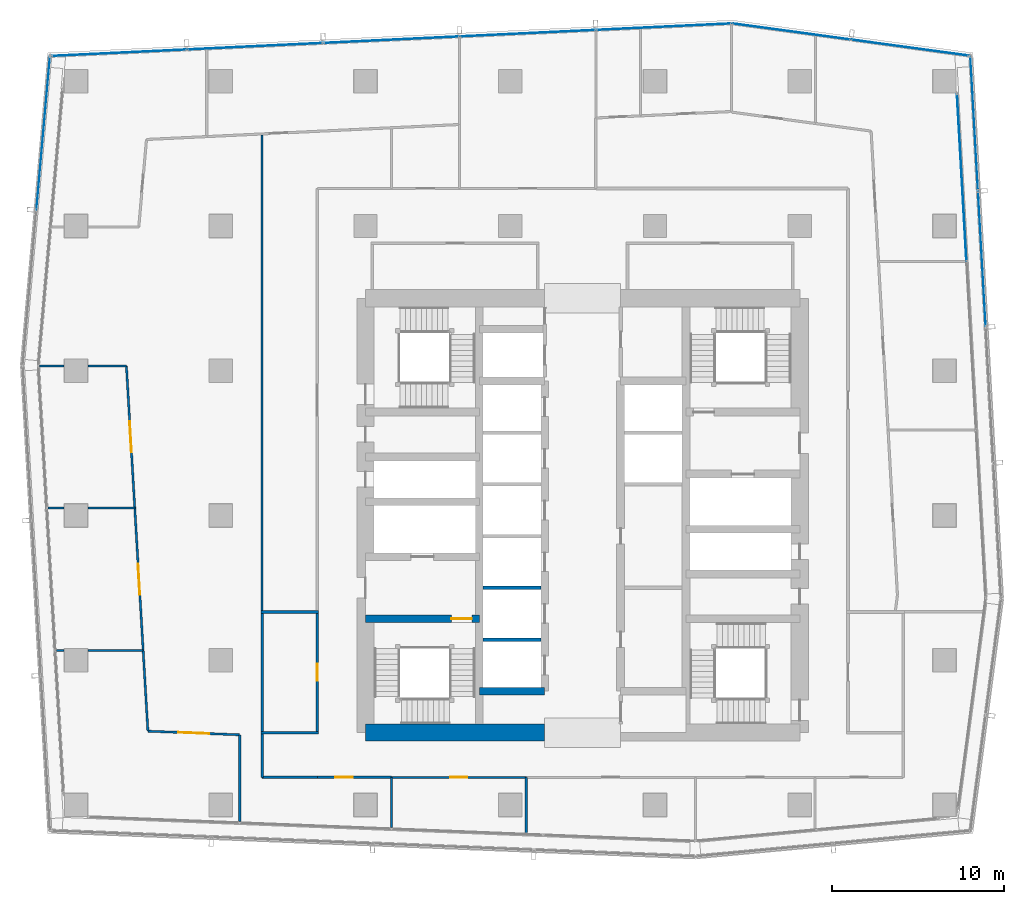
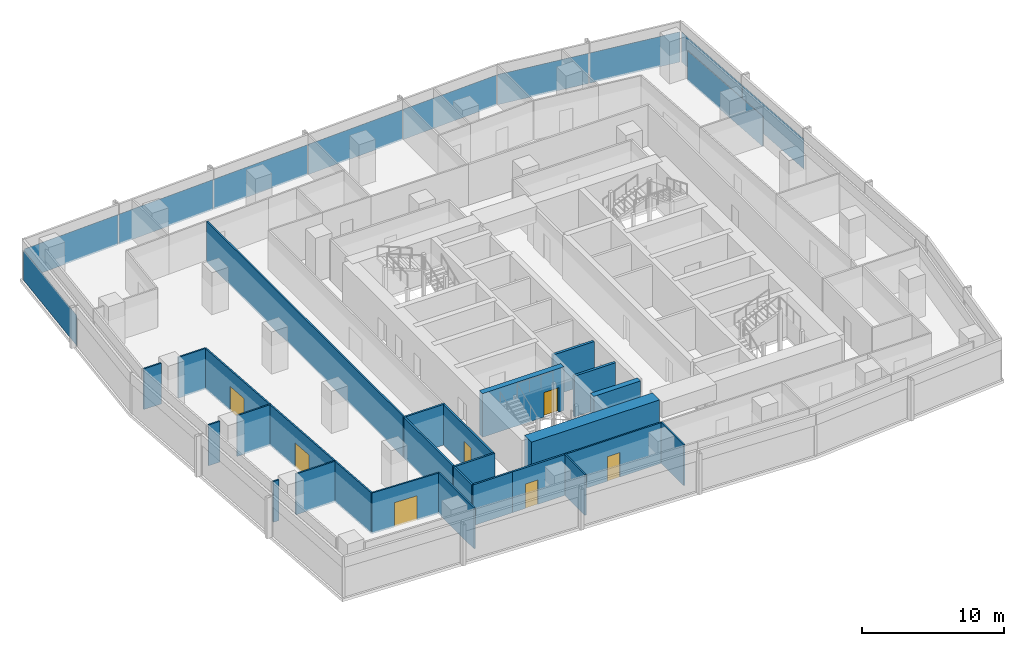
# One storey, part 27 of 38: 27 walls, 11 plates, 7 doors, 7 openings, 5 elements without a shape of their own.
"""IFC4 building model written with IfcOpenShell, lengths in metres."""

from ifc_helpers import new_model, si_unit, direction, frame, frame_2d, origin, origin_2d, place, context, subcontext, project, spatial, rectangle, extrude, material, layer, layer_set, type_object, element, fill, aggregate, save


model = new_model("IFC4")

# Units and contexts
model_context = context("Model", 3, precision=1e-05, world=origin(), true_north=direction((0.0, 1.0)))
body_context = subcontext(model_context, "Body", "Model", "MODEL_VIEW")
ifc_project = project(units=[si_unit("LENGTHUNIT", "METRE"), si_unit("AREAUNIT", "SQUARE_METRE"), si_unit("VOLUMEUNIT", "CUBIC_METRE"), si_unit("PLANEANGLEUNIT", "RADIAN"), si_unit("MASSUNIT", "GRAM", prefix="KILO")], contexts=[model_context])

# Site, building, storey
site_placement = place(None, origin())
site = spatial("IfcSite", under=ifc_project, at=site_placement, CompositionType="ELEMENT")
building_placement = place(site_placement, origin())
building = spatial("IfcBuilding", under=site, at=building_placement, Name="Rekha Terrace Tower", CompositionType="ELEMENT")
storey_placement = place(building_placement, frame((0.0, 0.0, 195.199951171875)))
storey = spatial("IfcBuildingStorey", under=building, at=storey_placement, Name="L49", CompositionType="ELEMENT", Elevation=195.199951171875)

# Curtain wall, plate
ifc_material_1 = material(Name="Aluminium framing", Category="aluminium")
curtain_wall_type_1 = type_object("IfcCurtainWallType", Name="CW1 double skin inner glazing", PredefinedType="USERDEFINED", material=ifc_material_1)
curtain_wall_1_placement = place(storey_placement, origin())
curtain_wall_1 = element("IfcCurtainWall", 1, at=curtain_wall_1_placement, inside=storey, type_object=curtain_wall_type_1, Name="CW1 double skin inner glazing", ObjectType="DOUBLE SKIN INNER GLAZING", PredefinedType="USERDEFINED")
ifc_material_2 = material(Name="Double-glazed low-e unit 32", Category="glass")
ifc_layer_1 = layer(ifc_material_2, 0.031982421875)
ifc_layer_set_1 = layer_set([ifc_layer_1], Name="Double-glazed low-e unit 32")
plate_type_1 = type_object("IfcPlateType", Name="CW1 jumbo vision panel, double-glazed low-e unit 32", PredefinedType="CURTAIN_PANEL", material=ifc_layer_set_1)
plate_1_placement = place(storey_placement, frame((59.799560546875, 53.203369140625, 0.0), z_axis=(0.0, 0.0, 1.0), x_axis=(-0.05667319486, 0.998392782919, 0.0)))
plate_1 = element("IfcPlate", 2, at=plate_1_placement, type_object=plate_type_1, Name="CW1 panel 3.1", PredefinedType="CURTAIN_PANEL", context=body_context, shape_type="SweptSolid", body=[
    extrude(rectangle(XDim=9.694091796875, YDim=0.031982421875, at=origin_2d()), origin(), (0.0, 0.0, 1.0), 2.60009765625),
])
aggregate(curtain_wall_1, [plate_1])

# Curtain wall, plates
curtain_wall_type_2 = type_object("IfcCurtainWallType", Name="CW2 double skin outer glazing", PredefinedType="USERDEFINED", material=ifc_material_1)
curtain_wall_2_placement = place(storey_placement, origin())
curtain_wall_2 = element("IfcCurtainWall", 3, at=curtain_wall_2_placement, inside=storey, type_object=curtain_wall_type_2, Name="CW2 double skin outer glazing", ObjectType="DOUBLE SKIN OUTER GLAZING", PredefinedType="USERDEFINED")
ifc_material_3 = material(Name="Toughened single glazing 12", Category="glass")
ifc_layer_2 = layer(ifc_material_3, 0.011962890625)
ifc_layer_set_2 = layer_set([ifc_layer_2], Name="Toughened single glazing 12")
plate_type_2 = type_object("IfcPlateType", Name="CW2 jumbo vision panel, toughened single glazing 12", PredefinedType="CURTAIN_PANEL", material=ifc_layer_set_2)
plate_2_placement = place(storey_placement, frame((60.9697265625, 48.47314453125, 0.0), z_axis=(0.0, 0.0, 1.0), x_axis=(-0.05667319486, 0.998392782919, 0.0)))
plate_2 = element("IfcPlate", 4, at=plate_2_placement, type_object=plate_type_2, Name="CW2 panel 3.1", PredefinedType="CURTAIN_PANEL", context=body_context, shape_type="SweptSolid", body=[
    extrude(rectangle(XDim=7.823486328125, YDim=0.011962890625, at=origin_2d()), origin(), (0.0, 0.0, 1.0), 2.60009765625),
])
plate_3_placement = place(storey_placement, frame((60.522705078125, 56.343994140625, 0.0), z_axis=(0.0, 0.0, 1.0), x_axis=(-0.05667319486, 0.998392782919, 0.0)))
plate_3 = element("IfcPlate", 5, at=plate_3_placement, type_object=plate_type_2, Name="CW2 panel 4.1", PredefinedType="CURTAIN_PANEL", context=body_context, shape_type="SweptSolid", body=[
    extrude(rectangle(XDim=7.783447265625, YDim=0.011962890625, at=origin_2d()), origin(), (0.0, 0.0, 1.0), 2.60009765625),
])
aggregate(curtain_wall_2, [plate_2, plate_3])

# Curtain wall, plate
curtain_wall_3_placement = place(storey_placement, origin())
curtain_wall_3 = element("IfcCurtainWall", 6, at=curtain_wall_3_placement, inside=storey, type_object=curtain_wall_type_2, Name="CW2 double skin outer glazing", ObjectType="DOUBLE SKIN OUTER GLAZING", PredefinedType="USERDEFINED")
plate_4_placement = place(storey_placement, frame((6.498779296875, 55.78466796875, 0.0), z_axis=(0.0, 0.0, 1.0), x_axis=(-0.087957985453, -0.996124185428, 0.0)))
plate_4 = element("IfcPlate", 7, at=plate_4_placement, type_object=plate_type_2, Name="CW2 panel 1.1", PredefinedType="CURTAIN_PANEL", context=body_context, shape_type="SweptSolid", body=[
    extrude(rectangle(XDim=8.899658203125, YDim=0.011962890625, at=origin_2d()), origin(), (0.0, 0.0, 1.0), 2.60009765625),
])
aggregate(curtain_wall_3, [plate_4])

# Curtain wall, plates
curtain_wall_type_3 = type_object("IfcCurtainWallType", Name="CW3 north unitised glazing", PredefinedType="USERDEFINED", material=ifc_material_1)
curtain_wall_4_placement = place(storey_placement, origin())
curtain_wall_4 = element("IfcCurtainWall", 8, at=curtain_wall_4_placement, inside=storey, type_object=curtain_wall_type_3, Name="CW3 unitised curtain wall", ObjectType="UNITISED CURTAIN WALL", PredefinedType="USERDEFINED")
ifc_material_4 = material(Name="Double-glazed unit 28", Category="glass")
ifc_layer_3 = layer(ifc_material_4, 0.028076171875)
ifc_layer_set_3 = layer_set([ifc_layer_3], Name="Double-glazed unit 28")
plate_type_3 = type_object("IfcPlateType", Name="CW3 jumbo vision panel, double-glazed unit 28", PredefinedType="CURTAIN_PANEL", material=ifc_layer_set_3)
plate_5_placement = place(storey_placement, frame((56.797119140625, 60.745361328125, 0.0), z_axis=(0.0, 0.0, 1.0), x_axis=(-0.990867270504, 0.134840840416, 0.0)))
plate_5 = element("IfcPlate", 9, at=plate_5_placement, type_object=plate_type_3, Name="CW3 panel 1.1", PredefinedType="CURTAIN_PANEL", context=body_context, shape_type="SweptSolid", body=[
    extrude(rectangle(XDim=6.8486328125, YDim=0.028076171875, at=origin_2d()), origin(), (0.0, 0.0, 1.0), 2.60009765625),
])
plate_6_placement = place(storey_placement, frame((49.906982421875, 61.682861328125, 0.0), z_axis=(0.0, 0.0, 1.0), x_axis=(-0.990867270504, 0.134840840416, 0.0)))
plate_6 = element("IfcPlate", 10, at=plate_6_placement, type_object=plate_type_3, Name="CW3 panel 2.1", PredefinedType="CURTAIN_PANEL", context=body_context, shape_type="SweptSolid", body=[
    extrude(rectangle(XDim=6.918701171875, YDim=0.028076171875, at=origin_2d()), origin(), (0.0, 0.0, 1.0), 2.60009765625),
])
aggregate(curtain_wall_4, [plate_5, plate_6])

curtain_wall_5_placement = place(storey_placement, origin())
curtain_wall_5 = element("IfcCurtainWall", 11, at=curtain_wall_5_placement, inside=storey, type_object=curtain_wall_type_3, Name="CW3 unitised curtain wall", ObjectType="UNITISED CURTAIN WALL", PredefinedType="USERDEFINED")
plate_7_placement = place(storey_placement, frame((42.50732421875, 61.95947265625, 0.0), z_axis=(0.0, 0.0, 1.0), x_axis=(-0.998858906204, -0.047758616983, 0.0)))
plate_7 = element("IfcPlate", 12, at=plate_7_placement, type_object=plate_type_3, Name="CW3 panel 1.1", PredefinedType="CURTAIN_PANEL", context=body_context, shape_type="SweptSolid", body=[
    extrude(rectangle(XDim=7.81298828125, YDim=0.028076171875, at=origin_2d()), origin(), (0.0, 0.0, 1.0), 2.60009765625),
])
plate_8_placement = place(storey_placement, frame((34.61572265625, 61.58203125, 0.0), z_axis=(0.0, 0.0, 1.0), x_axis=(-0.998858906204, -0.047758616983, 0.0)))
plate_8 = element("IfcPlate", 13, at=plate_8_placement, type_object=plate_type_3, Name="CW3 panel 2.1", PredefinedType="CURTAIN_PANEL", context=body_context, shape_type="SweptSolid", body=[
    extrude(rectangle(XDim=7.84814453125, YDim=0.028076171875, at=origin_2d()), origin(), (0.0, 0.0, 1.0), 2.60009765625),
])
plate_9_placement = place(storey_placement, frame((26.70654296875, 61.203857421875, 0.0), z_axis=(0.0, 0.0, 1.0), x_axis=(-0.998858906204, -0.047758616983, 0.0)))
plate_9 = element("IfcPlate", 14, at=plate_9_placement, type_object=plate_type_3, Name="CW3 panel 3.1", PredefinedType="CURTAIN_PANEL", context=body_context, shape_type="SweptSolid", body=[
    extrude(rectangle(XDim=7.84814453125, YDim=0.028076171875, at=origin_2d()), origin(), (0.0, 0.0, 1.0), 2.60009765625),
])
plate_10_placement = place(storey_placement, frame((18.79736328125, 60.82568359375, 0.0), z_axis=(0.0, 0.0, 1.0), x_axis=(-0.998858906204, -0.047758616983, 0.0)))
plate_10 = element("IfcPlate", 15, at=plate_10_placement, type_object=plate_type_3, Name="CW3 panel 4.1", PredefinedType="CURTAIN_PANEL", context=body_context, shape_type="SweptSolid", body=[
    extrude(rectangle(XDim=7.84814453125, YDim=0.028076171875, at=origin_2d()), origin(), (0.0, 0.0, 1.0), 2.60009765625),
])
plate_11_placement = place(storey_placement, frame((10.906005859375, 60.448486328125, 0.0), z_axis=(0.0, 0.0, 1.0), x_axis=(-0.998858906204, -0.047758616983, 0.0)))
plate_11 = element("IfcPlate", 16, at=plate_11_placement, type_object=plate_type_3, Name="CW3 panel 5.1", PredefinedType="CURTAIN_PANEL", context=body_context, shape_type="SweptSolid", body=[
    extrude(rectangle(XDim=7.81298828125, YDim=0.028076171875, at=origin_2d()), origin(), (0.0, 0.0, 1.0), 2.60009765625),
])
aggregate(curtain_wall_5, [plate_7, plate_8, plate_9, plate_10, plate_11])

# Wall
ifc_material_5 = material(Name="Concrete M60", Category="concrete")
ifc_layer_4 = layer(ifc_material_5, 0.449951171875)
ifc_layer_set_4 = layer_set([ifc_layer_4], Name="Concrete M60")
wall_type_1 = type_object("IfcWallType", Name="CI3 450 core internal shear wall", PredefinedType="SHEAR", material=ifc_layer_set_4)
wall_1_placement = place(storey_placement, frame((31.800048828125, 23.39990234375, 0.0), z_axis=(0.0, 0.0, 1.0), x_axis=(1.0, 0.0, 0.0)))
element("IfcWall", 17, at=wall_1_placement, inside=storey, type_object=wall_type_1, Name="Core wall Y234W L49", PredefinedType="SHEAR", context=body_context, shape_type="SweptSolid", body=[
    extrude(rectangle(XDim=3.800048828125, YDim=0.449951171875, at=frame_2d((1.89990234375, 0.0))), origin(), (0.0, 0.0, 1.0), 3.75),
])

# Wall, opening, door
wall_2_placement = place(storey_placement, frame((25.199951171875, 27.60009765625, 0.0), z_axis=(0.0, 0.0, 1.0), x_axis=(1.0, 0.0, 0.0)))
wall_2 = element("IfcWall", 18, at=wall_2_placement, inside=storey, type_object=wall_type_1, Name="Core wall Y276W L49", PredefinedType="SHEAR", context=body_context, shape_type="SweptSolid", body=[
    extrude(rectangle(XDim=6.60009765625, YDim=0.449951171875, at=frame_2d((3.300048828125, 0.0))), origin(), (0.0, 0.0, 1.0), 3.75),
])
opening_1_placement = place(wall_2_placement, frame((4.97509765625, 0.0, 0.0)))
opening_1 = element("IfcOpeningElement", 19, at=opening_1_placement, cuts=wall_2, Name="Opening D1", PredefinedType="OPENING", context=body_context, shape_type="SweptSolid", body=[
    extrude(rectangle(XDim=1.199951171875, YDim=2.10009765625, at=frame_2d((0.60009765625, 1.050048828125))), frame((0.0, 0.23486328125, 0.0), z_axis=(0.0, -1.0, 0.0), x_axis=(1.0, 0.0, 0.0)), (0.0, 0.0, 1.0), 0.469970703125),
])
ifc_material_6 = material(Name="Steel fire door", Category="steel")
door_type_1 = type_object("IfcDoorType", Name="D1 1200x2100 stair fire door", OperationType="SINGLE_SWING_RIGHT", PredefinedType="DOOR", material=ifc_material_6)
door_1_placement = place(opening_1_placement, origin())
door_1 = element("IfcDoor", 20, at=door_1_placement, inside=storey, type_object=door_type_1, Name="Stair ST1 door L49", OperationType="SINGLE_SWING_RIGHT", OverallHeight=2.10009765625, OverallWidth=1.199951171875, PredefinedType="DOOR", context=body_context, shape_type="SweptSolid", body=[
    extrude(rectangle(XDim=1.199951171875, YDim=2.10009765625, at=frame_2d((0.60009765625, 1.050048828125))), frame((0.0, 0.02490234375, 0.0), z_axis=(0.0, -1.0, 0.0), x_axis=(1.0, 0.0, 0.0)), (0.0, 0.0, 1.0), 0.050048828125),
])
fill(opening_1, door_1)

# Walls
ifc_layer_5 = layer(ifc_material_5, 1.0)
ifc_layer_set_5 = layer_set([ifc_layer_5], Name="Concrete M60")
wall_type_2 = type_object("IfcWallType", Name="SW3 1000 core outer shear wall", PredefinedType="SHEAR", material=ifc_layer_set_5)
wall_3_placement = place(storey_placement, frame((25.199951171875, 21.0, 0.0), z_axis=(0.0, 0.0, 1.0), x_axis=(1.0, 0.0, 0.0)))
element("IfcWall", 21, at=wall_3_placement, inside=storey, type_object=wall_type_2, Name="Core wall S1 L49", PredefinedType="SHEAR", context=body_context, shape_type="SweptSolid", body=[
    extrude(rectangle(XDim=10.400146484375, YDim=1.0, at=frame_2d((5.2001953125, 0.0))), origin(), (0.0, 0.0, 1.0), 3.75),
])
ifc_material_7 = material(Name="Concrete block masonry, 1 hour", Category="masonry")
ifc_layer_6 = layer(ifc_material_7, 0.14990234375)
ifc_layer_set_6 = layer_set([ifc_layer_6], Name="Concrete block masonry, 1 hour")
wall_type_3 = type_object("IfcWallType", Name="WP2 150 tenancy partition", PredefinedType="PARTITIONING", material=ifc_layer_set_6)
for number, where, z_axis, x_axis, name in (
    (22, (19.125, 21.0, 0.0), (0.0, 0.0, 1.0), (1.0, 0.0, 0.0), "Men's WC wall L49"),
    (23, (19.125, 28.0, 0.0), (0.0, 0.0, 1.0), (1.0, 0.0, 0.0), "Men's WC wall L49"),
):
    element("IfcWall", number, at=place(storey_placement, frame(where, z_axis=z_axis, x_axis=x_axis)), inside=storey, type_object=wall_type_3, Name=name, PredefinedType="PARTITIONING", context=body_context, shape_type="SweptSolid", body=[
        extrude(rectangle(XDim=3.35009765625, YDim=0.14990234375, at=frame_2d((1.675048828125, 0.0))), origin(), (0.0, 0.0, 1.0), 3.5),
    ])
wall_4_placement = place(storey_placement, frame((19.199951171875, 21.074951171875, 0.0), z_axis=(0.0, 0.0, 1.0), x_axis=(0.0, 1.0, 0.0)))
element("IfcWall", 24, at=wall_4_placement, inside=storey, type_object=wall_type_3, Name="Men's WC wall L49", PredefinedType="PARTITIONING", context=body_context, shape_type="SweptSolid", body=[
    extrude(rectangle(XDim=6.85009765625, YDim=0.14990234375, at=frame_2d((3.425048828125, 0.0))), origin(), (0.0, 0.0, 1.0), 3.5),
])

# Wall, opening, door
wall_5_placement = place(storey_placement, frame((22.39990234375, 21.074951171875, 0.0), z_axis=(0.0, 0.0, 1.0), x_axis=(0.0, 1.0, 0.0)))
wall_5 = element("IfcWall", 25, at=wall_5_placement, inside=storey, type_object=wall_type_3, Name="Men's WC wall L49", PredefinedType="PARTITIONING", context=body_context, shape_type="SweptSolid", body=[
    extrude(rectangle(XDim=6.85009765625, YDim=0.14990234375, at=frame_2d((3.425048828125, 0.0))), origin(), (0.0, 0.0, 1.0), 3.5),
])
opening_2_placement = place(wall_5_placement, frame((2.925048828125, 0.0, 0.0)))
opening_2 = element("IfcOpeningElement", 26, at=opening_2_placement, cuts=wall_5, Name="Opening D3", PredefinedType="OPENING", context=body_context, shape_type="SweptSolid", body=[
    extrude(rectangle(XDim=1.0, YDim=2.10009765625, at=frame_2d((0.5, 1.050048828125))), frame((0.0, 0.0849609375, 0.0), z_axis=(0.0, -1.0, 0.0), x_axis=(1.0, 0.0, 0.0)), (0.0, 0.0, 1.0), 0.169921875),
])
ifc_material_8 = material(Name="Laminated timber fire door", Category="wood")
door_type_2 = type_object("IfcDoorType", Name="D3 1000x2100 WC door", OperationType="SINGLE_SWING_LEFT", PredefinedType="DOOR", material=ifc_material_8)
door_2_placement = place(opening_2_placement, origin())
door_2 = element("IfcDoor", 27, at=door_2_placement, inside=storey, type_object=door_type_2, Name="Door men's wc L49", OperationType="SINGLE_SWING_LEFT", OverallHeight=2.10009765625, OverallWidth=1.0, PredefinedType="DOOR", context=body_context, shape_type="SweptSolid", body=[
    extrude(rectangle(XDim=1.0, YDim=2.10009765625, at=frame_2d((0.5, 1.050048828125))), frame((0.0, 0.02490234375, 0.0), z_axis=(0.0, -1.0, 0.0), x_axis=(1.0, 0.0, 0.0)), (0.0, 0.0, 1.0), 0.050048828125),
])
fill(opening_2, door_2)

# Walls
wall_6_placement = place(storey_placement, frame((19.199951171875, 20.925048828125, 0.0), z_axis=(0.0, 0.0, 1.0), x_axis=(0.0, -1.0, 0.0)))
element("IfcWall", 28, at=wall_6_placement, inside=storey, type_object=wall_type_3, Name="Partition L49-O1b", PredefinedType="PARTITIONING", context=body_context, shape_type="SweptSolid", body=[
    extrude(rectangle(XDim=2.525146484375, YDim=0.14990234375, at=frame_2d((1.2626953125, 0.0))), origin(), (0.0, 0.0, 1.0), 3.5),
])
wall_7_placement = place(storey_placement, frame((19.199951171875, 18.39990234375, 0.0), z_axis=(0.0, 0.0, 1.0), x_axis=(1.0, 0.0, 0.0)))
element("IfcWall", 29, at=wall_7_placement, inside=storey, type_object=wall_type_3, Name="Partition L49-O1b", PredefinedType="PARTITIONING", context=body_context, shape_type="SweptSolid", body=[
    extrude(rectangle(XDim=3.199951171875, YDim=0.14990234375, at=frame_2d((1.60009765625, 0.0))), origin(), (0.0, 0.0, 1.0), 3.5),
])

# Wall, opening, door
wall_8_placement = place(storey_placement, frame((22.39990234375, 18.39990234375, 0.0), z_axis=(0.0, 0.0, 1.0), x_axis=(1.0, 0.0, 0.0)))
wall_8 = element("IfcWall", 30, at=wall_8_placement, inside=storey, type_object=wall_type_3, Name="Partition L49-O1b", PredefinedType="PARTITIONING", context=body_context, shape_type="SweptSolid", body=[
    extrude(rectangle(XDim=4.302978515625, YDim=0.14990234375, at=frame_2d((2.1513671875, 0.0))), origin(), (0.0, 0.0, 1.0), 3.5),
])
opening_3_placement = place(wall_8_placement, frame((1.052001953125, 0.0, 0.0)))
opening_3 = element("IfcOpeningElement", 31, at=opening_3_placement, cuts=wall_8, Name="Opening D9", PredefinedType="OPENING", context=body_context, shape_type="SweptSolid", body=[
    extrude(rectangle(XDim=1.0, YDim=2.10009765625, at=frame_2d((0.5, 1.050048828125))), frame((0.0, 0.0849609375, 0.0), z_axis=(0.0, -1.0, 0.0), x_axis=(1.0, 0.0, 0.0)), (0.0, 0.0, 1.0), 0.169921875),
])
ifc_material_9 = material(Name="Timber fire door", Category="wood")
door_type_3 = type_object("IfcDoorType", Name="D9 1000x2100 office door", OperationType="SINGLE_SWING_LEFT", PredefinedType="DOOR", material=ifc_material_9)
door_3_placement = place(opening_3_placement, origin())
door_3 = element("IfcDoor", 32, at=door_3_placement, inside=storey, type_object=door_type_3, Name="Door open-plan office L49", OperationType="SINGLE_SWING_LEFT", OverallHeight=2.10009765625, OverallWidth=1.0, PredefinedType="DOOR", context=body_context, shape_type="SweptSolid", body=[
    extrude(rectangle(XDim=1.0, YDim=2.10009765625, at=frame_2d((0.5, 1.050048828125))), frame((0.0, 0.02490234375, 0.0), z_axis=(0.0, -1.0, 0.0), x_axis=(1.0, 0.0, 0.0)), (0.0, 0.0, 1.0), 0.050048828125),
])
fill(opening_3, door_3)

# Walls
ifc_material_10 = material(Name="Two layers of fire-rated gypsum board each side on steel studs, acoustic quilt, 1 hour", Category="steel")
ifc_layer_7 = layer(ifc_material_10, 0.125)
ifc_layer_set_7 = layer_set([ifc_layer_7], Name="Two layers of fire-rated gypsum board each side on steel studs, acoustic quilt, 1 hour")
wall_type_4 = type_object("IfcWallType", Name="WP3 125 office partition", PredefinedType="PARTITIONING", material=ifc_layer_set_7)
wall_9_placement = place(storey_placement, frame((34.531005859375, 15.181884765625, 0.0), z_axis=(0.0, 0.0, 1.0), x_axis=(0.0, 1.0, 0.0)))
element("IfcWall", 33, at=wall_9_placement, inside=storey, type_object=wall_type_4, Name="Partition L49-02", PredefinedType="PARTITIONING", context=body_context, shape_type="SweptSolid", body=[
    extrude(rectangle(XDim=3.218017578125, YDim=0.125, at=frame_2d((1.60888671875, 0.0))), origin(), (0.0, 0.0, 1.0), 3.5),
])
wall_10_placement = place(storey_placement, frame((11.80908203125, 34.041015625, 0.0), z_axis=(0.0, 0.0, 1.0), x_axis=(-1.0, 0.0, 0.0)))
element("IfcWall", 34, at=wall_10_placement, inside=storey, type_object=wall_type_4, Name="Partition L49-14", PredefinedType="PARTITIONING", context=body_context, shape_type="SweptSolid", body=[
    extrude(rectangle(XDim=2.714111328125, YDim=0.125, at=frame_2d((1.35693359375, 0.0))), origin(), (0.0, 0.0, 1.0), 3.5),
])
wall_11_placement = place(storey_placement, frame((7.705078125, 34.041015625, 0.0), z_axis=(0.0, 0.0, 1.0), x_axis=(-1.0, 0.0, 0.0)))
element("IfcWall", 35, at=wall_11_placement, inside=storey, type_object=wall_type_4, Name="Partition L49-14", PredefinedType="PARTITIONING", context=body_context, shape_type="SweptSolid", body=[
    extrude(rectangle(XDim=0.925048828125, YDim=0.125, at=frame_2d((0.46240234375, 0.0))), origin(), (0.0, 0.0, 1.0), 3.5),
])
wall_12_placement = place(storey_placement, frame((6.294921875, 42.281005859375, 0.0), z_axis=(0.0, 0.0, 1.0), x_axis=(1.0, 0.0, 0.0)))
element("IfcWall", 36, at=wall_12_placement, inside=storey, type_object=wall_type_4, Name="Partition L49-14", PredefinedType="PARTITIONING", context=body_context, shape_type="SweptSolid", body=[
    extrude(rectangle(XDim=1.41015625, YDim=0.125, at=frame_2d((0.705078125, 0.0))), origin(), (0.0, 0.0, 1.0), 3.5),
])
wall_13_placement = place(storey_placement, frame((9.094970703125, 42.281005859375, 0.0), z_axis=(0.0, 0.0, 1.0), x_axis=(1.0, 0.0, 0.0)))
element("IfcWall", 37, at=wall_13_placement, inside=storey, type_object=wall_type_4, Name="Partition L49-14", PredefinedType="PARTITIONING", context=body_context, shape_type="SweptSolid", body=[
    extrude(rectangle(XDim=2.22900390625, YDim=0.125, at=frame_2d((1.114501953125, 0.0))), origin(), (0.0, 0.0, 1.0), 3.5),
])

# Wall, opening, door
wall_14_placement = place(storey_placement, frame((11.323974609375, 42.281005859375, 0.0), z_axis=(0.0, 0.0, 1.0), x_axis=(0.058770569842, -0.998271516232, 0.0)))
wall_14 = element("IfcWall", 38, at=wall_14_placement, inside=storey, type_object=wall_type_4, Name="Partition L49-14", PredefinedType="PARTITIONING", context=body_context, shape_type="SweptSolid", body=[
    extrude(rectangle(XDim=8.254150390625, YDim=0.125, at=frame_2d((4.126953125, 0.0))), origin(), (0.0, 0.0, 1.0), 3.5),
])
opening_4_placement = place(wall_14_placement, frame((3.22705078125, 0.0, 0.0)))
opening_4 = element("IfcOpeningElement", 39, at=opening_4_placement, cuts=wall_14, Name="Opening D8", PredefinedType="OPENING", context=body_context, shape_type="SweptSolid", body=[
    extrude(rectangle(XDim=1.800048828125, YDim=2.10009765625, at=frame_2d((0.89990234375, 1.050048828125))), frame((0.0, 0.072509765625, 0.0), z_axis=(0.0, -1.0, 0.0), x_axis=(1.0, 0.0, 0.0)), (0.0, 0.0, 1.0), 0.14501953125),
])
door_type_4 = type_object("IfcDoorType", Name="D8 1800x2100 double leaf door", OperationType="DOUBLE_DOOR_SINGLE_SWING", PredefinedType="DOOR", material=ifc_material_9)
door_4_placement = place(opening_4_placement, origin())
door_4 = element("IfcDoor", 40, at=door_4_placement, inside=storey, type_object=door_type_4, Name="Door breakout lounge L49", OperationType="DOUBLE_DOOR_SINGLE_SWING", OverallHeight=2.10009765625, OverallWidth=1.800048828125, PredefinedType="DOOR", context=body_context, shape_type="SweptSolid", body=[
    extrude(rectangle(XDim=1.800048828125, YDim=2.10009765625, at=frame_2d((0.89990234375, 1.050048828125))), frame((0.0, 0.02490234375, 0.0), z_axis=(0.0, -1.0, 0.0), x_axis=(1.0, 0.0, 0.0)), (0.0, 0.0, 1.0), 0.050048828125),
])
fill(opening_4, door_4)

wall_15_placement = place(storey_placement, frame((11.80908203125, 34.0400390625, 0.0), z_axis=(0.0, 0.0, 1.0), x_axis=(0.058742745351, -0.998273153936, 0.0)))
wall_15 = element("IfcWall", 41, at=wall_15_placement, inside=storey, type_object=wall_type_4, Name="Partition L49-15", PredefinedType="PARTITIONING", context=body_context, shape_type="SweptSolid", body=[
    extrude(rectangle(XDim=8.287353515625, YDim=0.125, at=frame_2d((4.1435546875, 0.0))), origin(), (0.0, 0.0, 1.0), 3.5),
])
opening_5_placement = place(wall_15_placement, frame((3.243896484375, 0.0, 0.0)))
opening_5 = element("IfcOpeningElement", 42, at=opening_5_placement, cuts=wall_15, Name="Opening D8", PredefinedType="OPENING", context=body_context, shape_type="SweptSolid", body=[
    extrude(rectangle(XDim=1.800048828125, YDim=2.10009765625, at=frame_2d((0.89990234375, 1.050048828125))), frame((0.0, 0.072509765625, 0.0), z_axis=(0.0, -1.0, 0.0), x_axis=(1.0, 0.0, 0.0)), (0.0, 0.0, 1.0), 0.14501953125),
])
door_5_placement = place(opening_5_placement, origin())
door_5 = element("IfcDoor", 43, at=door_5_placement, inside=storey, type_object=door_type_4, Name="Door meeting room L49", OperationType="DOUBLE_DOOR_SINGLE_SWING", OverallHeight=2.10009765625, OverallWidth=1.800048828125, PredefinedType="DOOR", context=body_context, shape_type="SweptSolid", body=[
    extrude(rectangle(XDim=1.800048828125, YDim=2.10009765625, at=frame_2d((0.89990234375, 1.050048828125))), frame((0.0, 0.02490234375, 0.0), z_axis=(0.0, -1.0, 0.0), x_axis=(1.0, 0.0, 0.0)), (0.0, 0.0, 1.0), 0.050048828125),
])
fill(opening_5, door_5)

# Walls
wall_16_placement = place(storey_placement, frame((12.2958984375, 25.76708984375, 0.0), z_axis=(0.0, 0.0, 1.0), x_axis=(-1.0, 0.0, 0.0)))
element("IfcWall", 44, at=wall_16_placement, inside=storey, type_object=wall_type_4, Name="Partition L49-15", PredefinedType="PARTITIONING", context=body_context, shape_type="SweptSolid", body=[
    extrude(rectangle(XDim=3.200927734375, YDim=0.125, at=frame_2d((1.6005859375, 0.0))), origin(), (0.0, 0.0, 1.0), 3.5),
])
wall_17_placement = place(storey_placement, frame((7.705078125, 25.76708984375, 0.0), z_axis=(0.0, 0.0, 1.0), x_axis=(-1.0, 0.0, 0.0)))
element("IfcWall", 45, at=wall_17_placement, inside=storey, type_object=wall_type_4, Name="Partition L49-15", PredefinedType="PARTITIONING", context=body_context, shape_type="SweptSolid", body=[
    extrude(rectangle(XDim=0.43798828125, YDim=0.125, at=frame_2d((0.218994140625, 0.0))), origin(), (0.0, 0.0, 1.0), 3.5),
])
wall_18_placement = place(storey_placement, frame((17.89892578125, 20.8701171875, 0.0), z_axis=(0.0, 0.0, 1.0), x_axis=(0.0, -1.0, 0.0)))
element("IfcWall", 46, at=wall_18_placement, inside=storey, type_object=wall_type_4, Name="Partition L49-16", PredefinedType="PARTITIONING", context=body_context, shape_type="SweptSolid", body=[
    extrude(rectangle(XDim=5.024169921875, YDim=0.125, at=frame_2d((2.51220703125, 0.0))), origin(), (0.0, 0.0, 1.0), 3.5),
])
wall_19_placement = place(storey_placement, frame((12.2958984375, 25.76611328125, 0.0), z_axis=(0.0, 0.0, 1.0), x_axis=(0.058859304142, -0.99826628828, 0.0)))
element("IfcWall", 47, at=wall_19_placement, inside=storey, type_object=wall_type_4, Name="Partition L49-16", PredefinedType="PARTITIONING", context=body_context, shape_type="SweptSolid", body=[
    extrude(rectangle(XDim=4.691162109375, YDim=0.125, at=frame_2d((2.345703125, 0.0))), origin(), (0.0, 0.0, 1.0), 3.5),
])

# Wall, opening, door
wall_20_placement = place(storey_placement, frame((12.572021484375, 21.0830078125, 0.0), z_axis=(0.0, 0.0, 1.0), x_axis=(0.999202348063, -0.039933289679, 0.0)))
wall_20 = element("IfcWall", 48, at=wall_20_placement, inside=storey, type_object=wall_type_4, Name="Partition L49-16", PredefinedType="PARTITIONING", context=body_context, shape_type="SweptSolid", body=[
    extrude(rectangle(XDim=5.3310546875, YDim=0.125, at=frame_2d((2.66552734375, 0.0))), origin(), (0.0, 0.0, 1.0), 3.5),
])
opening_6_placement = place(wall_20_placement, frame((1.76611328125, 0.0, 0.0)))
opening_6 = element("IfcOpeningElement", 49, at=opening_6_placement, cuts=wall_20, Name="Opening D8", PredefinedType="OPENING", context=body_context, shape_type="SweptSolid", body=[
    extrude(rectangle(XDim=1.800048828125, YDim=2.10009765625, at=frame_2d((0.89990234375, 1.050048828125))), frame((0.0, 0.072509765625, 0.0), z_axis=(0.0, -1.0, 0.0), x_axis=(1.0, 0.0, 0.0)), (0.0, 0.0, 1.0), 0.14501953125),
])
door_6_placement = place(opening_6_placement, origin())
door_6 = element("IfcDoor", 50, at=door_6_placement, inside=storey, type_object=door_type_4, Name="Door meeting room L49", OperationType="DOUBLE_DOOR_SINGLE_SWING", OverallHeight=2.10009765625, OverallWidth=1.800048828125, PredefinedType="DOOR", context=body_context, shape_type="SweptSolid", body=[
    extrude(rectangle(XDim=1.800048828125, YDim=2.10009765625, at=frame_2d((0.89990234375, 1.050048828125))), frame((0.0, 0.02490234375, 0.0), z_axis=(0.0, -1.0, 0.0), x_axis=(1.0, 0.0, 0.0)), (0.0, 0.0, 1.0), 0.050048828125),
])
fill(opening_6, door_6)

wall_21_placement = place(storey_placement, frame((26.7041015625, 18.39990234375, 0.0), z_axis=(0.0, 0.0, 1.0), x_axis=(1.0, 0.0, 0.0)))
wall_21 = element("IfcWall", 51, at=wall_21_placement, inside=storey, type_object=wall_type_4, Name="Partition L49-17", PredefinedType="PARTITIONING", context=body_context, shape_type="SweptSolid", body=[
    extrude(rectangle(XDim=7.825927734375, YDim=0.125, at=frame_2d((3.9130859375, 0.0))), origin(), (0.0, 0.0, 1.0), 3.5),
])
opening_7_placement = place(wall_21_placement, frame((3.4130859375, 0.0, 0.0)))
opening_7 = element("IfcOpeningElement", 52, at=opening_7_placement, cuts=wall_21, Name="Opening D9", PredefinedType="OPENING", context=body_context, shape_type="SweptSolid", body=[
    extrude(rectangle(XDim=1.0, YDim=2.10009765625, at=frame_2d((0.5, 1.050048828125))), frame((0.0, 0.072509765625, 0.0), z_axis=(0.0, -1.0, 0.0), x_axis=(1.0, 0.0, 0.0)), (0.0, 0.0, 1.0), 0.14501953125),
])
door_7_placement = place(opening_7_placement, origin())
door_7 = element("IfcDoor", 53, at=door_7_placement, inside=storey, type_object=door_type_3, Name="Door pantry L49", OperationType="SINGLE_SWING_LEFT", OverallHeight=2.10009765625, OverallWidth=1.0, PredefinedType="DOOR", context=body_context, shape_type="SweptSolid", body=[
    extrude(rectangle(XDim=1.0, YDim=2.10009765625, at=frame_2d((0.5, 1.050048828125))), frame((0.0, 0.02490234375, 0.0), z_axis=(0.0, -1.0, 0.0), x_axis=(1.0, 0.0, 0.0)), (0.0, 0.0, 1.0), 0.050048828125),
])
fill(opening_7, door_7)

# Walls
wall_22_placement = place(storey_placement, frame((26.7041015625, 15.4951171875, 0.0), z_axis=(0.0, 0.0, 1.0), x_axis=(0.0, 1.0, 0.0)))
element("IfcWall", 54, at=wall_22_placement, inside=storey, type_object=wall_type_4, Name="Partition L49-17", PredefinedType="PARTITIONING", context=body_context, shape_type="SweptSolid", body=[
    extrude(rectangle(XDim=2.90478515625, YDim=0.125, at=frame_2d((1.452392578125, 0.0))), origin(), (0.0, 0.0, 1.0), 3.5),
])
wall_23_placement = place(storey_placement, frame((19.199951171875, 28.074951171875, 0.0), z_axis=(0.0, 0.0, 1.0), x_axis=(0.0, 1.0, 0.0)))
element("IfcWall", 55, at=wall_23_placement, inside=storey, type_object=wall_type_4, Name="Partition L49-18", PredefinedType="PARTITIONING", context=body_context, shape_type="SweptSolid", body=[
    extrude(rectangle(XDim=27.60205078125, YDim=0.125, at=frame_2d((13.801025390625, 0.0))), origin(), (0.0, 0.0, 1.0), 3.5),
])
ifc_material_11 = material(Name="Solid concrete block masonry, 2 hour", Category="masonry")
ifc_layer_8 = layer(ifc_material_11, 0.199951171875)
ifc_layer_set_8 = layer_set([ifc_layer_8], Name="Solid concrete block masonry, 2 hour")
wall_type_5 = type_object("IfcWallType", Name="WS1 200 stair and shaft enclosure", PredefinedType="PARTITIONING", material=ifc_layer_set_8)
for number, where, z_axis, x_axis, name in (
    (56, (32.02490234375, 26.39990234375, 0.0), (0.0, 0.0, 1.0), (1.0, 0.0, 0.0), "Lift shaft divider L49"),
    (57, (32.02490234375, 29.39990234375, 0.0), (0.0, 0.0, 1.0), (1.0, 0.0, 0.0), "Lift shaft divider L49"),
):
    element("IfcWall", number, at=place(storey_placement, frame(where, z_axis=z_axis, x_axis=x_axis)), inside=storey, type_object=wall_type_5, Name=name, PredefinedType="PARTITIONING", context=body_context, shape_type="SweptSolid", body=[
        extrude(rectangle(XDim=3.35009765625, YDim=0.199951171875, at=frame_2d((1.675048828125, 0.0))), origin(), (0.0, 0.0, 1.0), 3.5),
    ])

save(model, "model.ifc")
